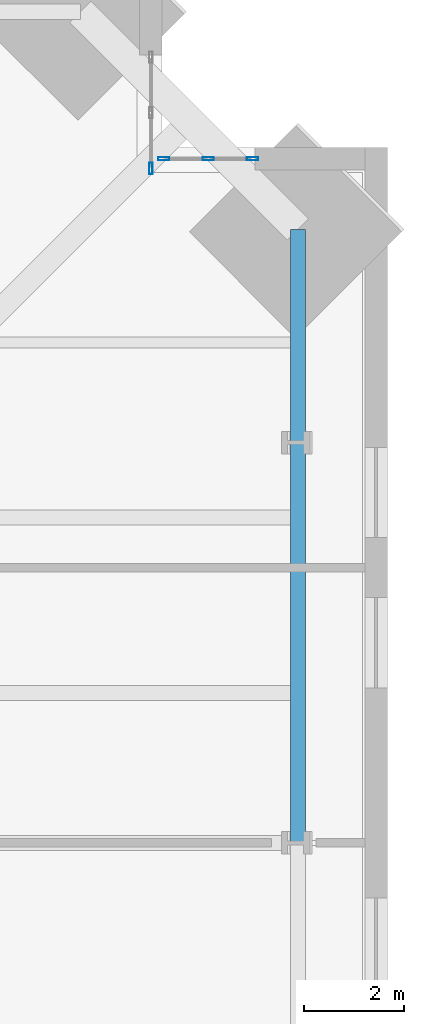
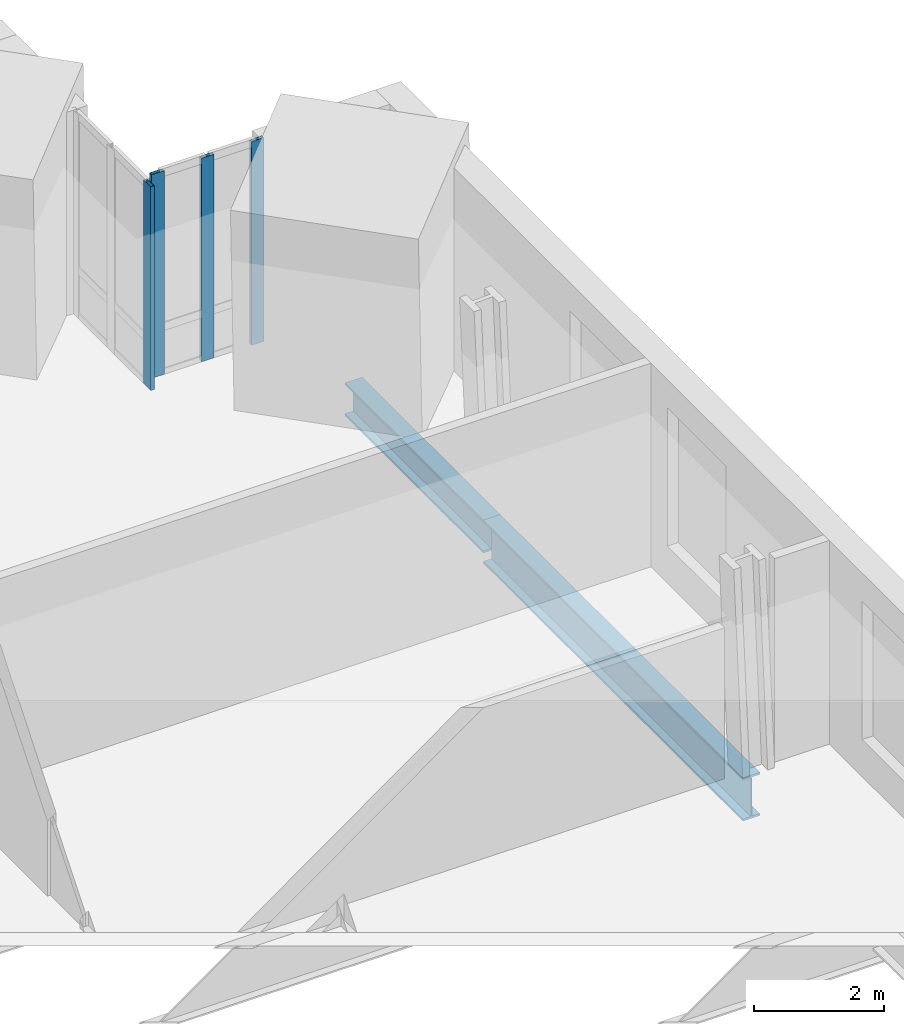
# One storey, part 10 of 18: 4 members, 2 beams, 2 elements without a shape of their own.
"""IFC4 building model written with IfcOpenShell, lengths in metres."""

from ifc_helpers import new_model, si_unit, direction, frame, origin, origin_2d, place, context, subcontext, project, spatial, hollow_rectangle, i_section, extrude, material, material_profile, profile_set, type_object, element, aggregate, save


model = new_model("IFC4")

# Units and contexts
model_context = context("Model", 3, precision=1e-05, world=origin(), true_north=direction((0.0, 1.0)))
body_context = subcontext(model_context, "Body", "Model", "MODEL_VIEW")
ifc_project = project(units=[si_unit("LENGTHUNIT", "METRE"), si_unit("AREAUNIT", "SQUARE_METRE"), si_unit("VOLUMEUNIT", "CUBIC_METRE"), si_unit("PLANEANGLEUNIT", "RADIAN"), si_unit("MASSUNIT", "GRAM", prefix="KILO")], contexts=[model_context])

# Site, building, storey
site_placement = place(None, origin())
site = spatial("IfcSite", under=ifc_project, at=site_placement, CompositionType="ELEMENT")
building_placement = place(site_placement, origin())
building = spatial("IfcBuilding", under=site, at=building_placement, Name="Peilmerk Tower", CompositionType="ELEMENT")
storey_placement = place(building_placement, frame((0.0, 0.0, 155.800048828125)))
storey = spatial("IfcBuildingStorey", under=building, at=storey_placement, Name="L32", CompositionType="ELEMENT", Elevation=155.800048828125)

# Beams
ifc_material_1 = material(Name="Steel S355", Category="steel")
ifc_material_profile_1 = material_profile(ifc_material_1, i_section(OverallWidth=0.302978515625, OverallDepth=0.81396484375, WebThickness=0.02099609375, FlangeThickness=0.0400390625, at=origin_2d()), Name="HEM 800")
ifc_profile_set_1 = profile_set([ifc_material_profile_1], Name="Steel S355")
beam_type_1 = type_object("IfcBeamType", Name="B15 HEM 800 edge beam", PredefinedType="SPANDREL", material=ifc_profile_set_1)
beam_1_placement = place(storey_placement, frame((24.614501953125, 8.0, -0.5771484375), z_axis=(0.0, 1.0, 0.0), x_axis=(-1.0, 0.0, 0.0)))
element("IfcBeam", 1, at=beam_1_placement, inside=storey, type_object=beam_type_1, Name="Edge beam L32", PredefinedType="SPANDREL", context=body_context, shape_type="SweptSolid", body=[
    extrude(i_section(OverallWidth=0.302978515625, OverallDepth=0.81396484375, WebThickness=0.02099609375, FlangeThickness=0.0400390625, at=origin_2d()), origin(), (0.0, 0.0, 1.0), 8.0),
])
ifc_material_profile_2 = material_profile(ifc_material_1, i_section(OverallWidth=0.304931640625, OverallDepth=0.6201171875, WebThickness=0.02099609375, FlangeThickness=0.0400390625, at=origin_2d()), Name="HEM 600")
ifc_profile_set_2 = profile_set([ifc_material_profile_2], Name="Steel S355")
beam_type_2 = type_object("IfcBeamType", Name="B31 HEM 600 edge beam", PredefinedType="SPANDREL", material=ifc_profile_set_2)
beam_2_placement = place(storey_placement, frame((24.614501953125, 16.0, -0.47998046875), z_axis=(0.0, 1.0, 0.0), x_axis=(-1.0, 0.0, 0.0)))
element("IfcBeam", 2, at=beam_2_placement, inside=storey, type_object=beam_type_2, Name="Edge beam L32", PredefinedType="SPANDREL", context=body_context, shape_type="SweptSolid", body=[
    extrude(i_section(OverallWidth=0.304931640625, OverallDepth=0.6201171875, WebThickness=0.02099609375, FlangeThickness=0.0400390625, at=origin_2d()), origin(), (0.0, 0.0, 1.0), 4.264404296875),
])

# Curtain wall, member
ifc_material_2 = material(Name="Aluminium stick curtain wall", Category="aluminium")
curtain_wall_type = type_object("IfcCurtainWallType", Name="CW3 stick curtain wall, 2250 module", PredefinedType="NOTDEFINED", material=ifc_material_2)
curtain_wall_1_placement = place(storey_placement, origin())
curtain_wall_1 = element("IfcCurtainWall", 3, at=curtain_wall_1_placement, inside=storey, type_object=curtain_wall_type, Name="Curtain wall CW3 NEA L32", PredefinedType="NOTDEFINED")
ifc_material_3 = material(Name="Aluminium EN AW-6063 T6", Category="aluminium")
ifc_material_profile_3 = material_profile(ifc_material_3, hollow_rectangle(XDim=0.06494140625, YDim=0.22509765625, WallThickness=0.00390625, at=origin_2d()), Name="AL 225x65x4")
ifc_profile_set_3 = profile_set([ifc_material_profile_3], Name="Aluminium EN AW-6063 T6")
member_type = type_object("IfcMemberType", Name="CW3-M AL 225x65x4 mullion", PredefinedType="MULLION", material=ifc_profile_set_3)
member_1_placement = place(storey_placement, frame((21.675048828125, 21.482421875, 0.0), z_axis=(0.0, 0.0, 1.0), x_axis=(-1.0, 0.0, 0.0)))
member_1 = element("IfcMember", 4, at=member_1_placement, type_object=member_type, Name="CW3 mullion 1", PredefinedType="MULLION", context=body_context, shape_type="SweptSolid", body=[
    extrude(hollow_rectangle(XDim=0.06494140625, YDim=0.22509765625, WallThickness=0.00390625, at=origin_2d()), origin(), (0.0, 0.0, 1.0), 3.829833984375),
])
aggregate(curtain_wall_1, [member_1])

# Curtain wall, members
curtain_wall_2_placement = place(storey_placement, origin())
curtain_wall_2 = element("IfcCurtainWall", 5, at=curtain_wall_2_placement, inside=storey, type_object=curtain_wall_type, Name="Curtain wall CW3 NEB L32", PredefinedType="NOTDEFINED")
member_2_placement = place(storey_placement, frame((21.9326171875, 21.675048828125, 0.0), z_axis=(0.0, 0.0, 1.0), x_axis=(0.0, 1.0, 0.0)))
member_2 = element("IfcMember", 6, at=member_2_placement, type_object=member_type, Name="CW3 mullion 1", PredefinedType="MULLION", context=body_context, shape_type="SweptSolid", body=[
    extrude(hollow_rectangle(XDim=0.06494140625, YDim=0.22509765625, WallThickness=0.00390625, at=origin_2d()), origin(), (0.0, 0.0, 1.0), 3.829833984375),
])
member_3_placement = place(storey_placement, frame((22.8193359375, 21.675048828125, 0.0), z_axis=(0.0, 0.0, 1.0), x_axis=(0.0, 1.0, 0.0)))
member_3 = element("IfcMember", 7, at=member_3_placement, type_object=member_type, Name="CW3 mullion 2", PredefinedType="MULLION", context=body_context, shape_type="SweptSolid", body=[
    extrude(hollow_rectangle(XDim=0.06494140625, YDim=0.22509765625, WallThickness=0.00390625, at=origin_2d()), origin(), (0.0, 0.0, 1.0), 3.829833984375),
])
member_4_placement = place(storey_placement, frame((23.706298828125, 21.675048828125, 0.0), z_axis=(0.0, 0.0, 1.0), x_axis=(0.0, 1.0, 0.0)))
member_4 = element("IfcMember", 8, at=member_4_placement, type_object=member_type, Name="CW3 mullion 3", PredefinedType="MULLION", context=body_context, shape_type="SweptSolid", body=[
    extrude(hollow_rectangle(XDim=0.06494140625, YDim=0.22509765625, WallThickness=0.00390625, at=origin_2d()), origin(), (0.0, 0.0, 1.0), 3.829833984375),
])
aggregate(curtain_wall_2, [member_2, member_3, member_4])

save(model, "model.ifc")
